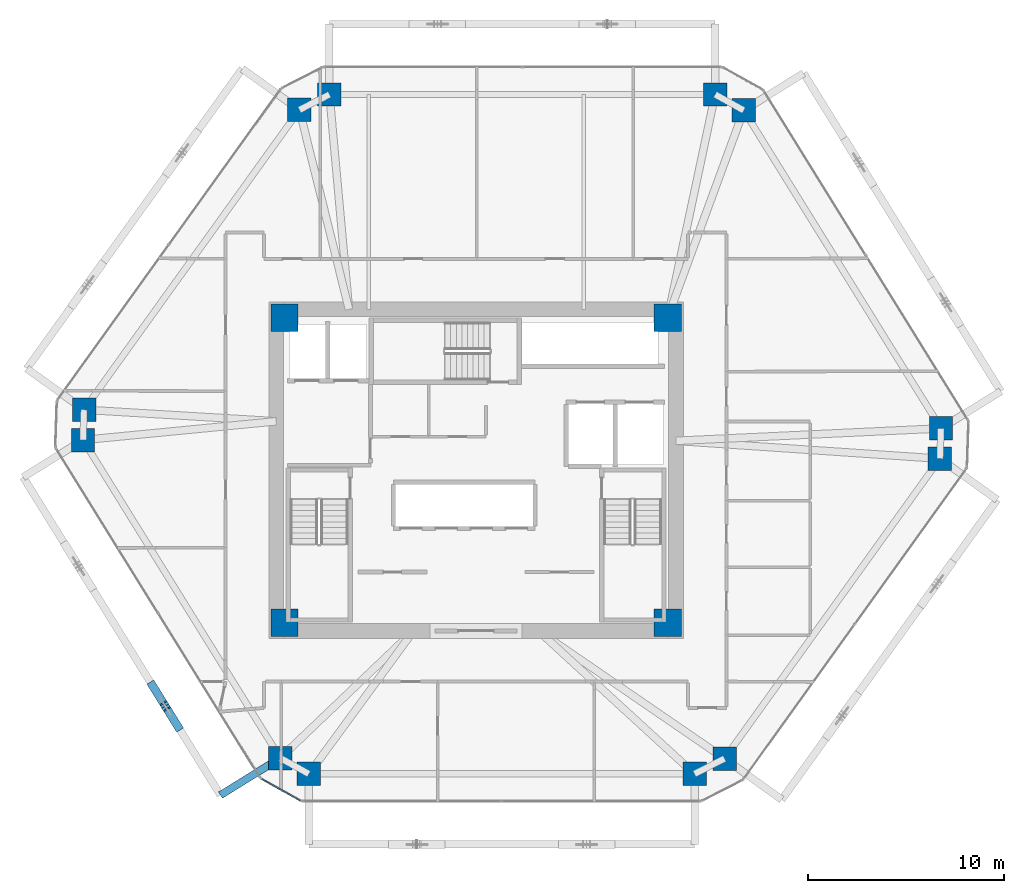
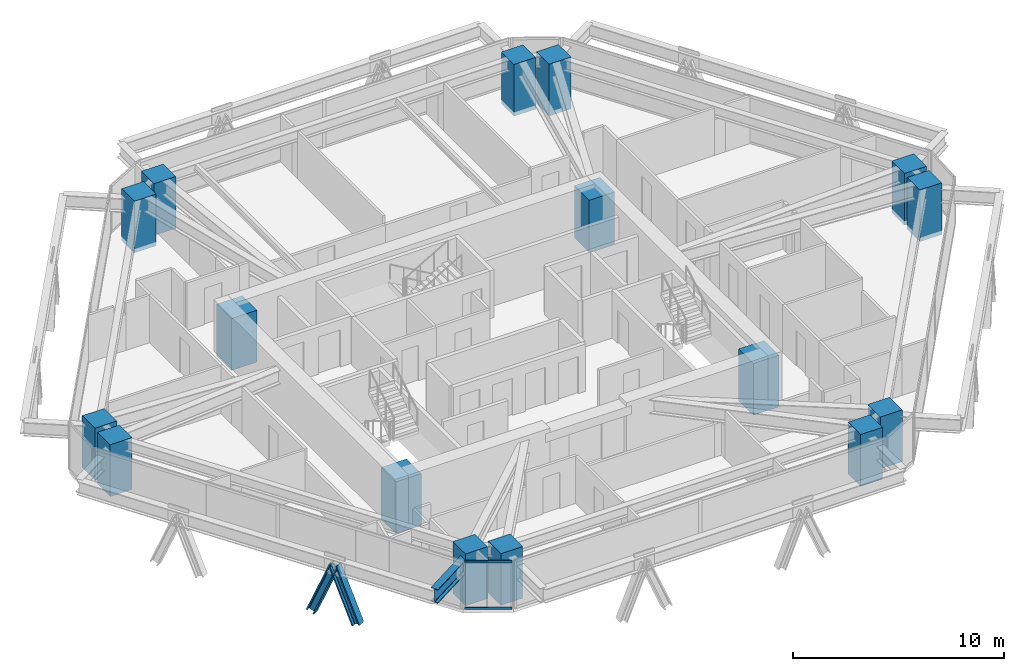
# One storey, part 1 of 17: 16 columns, 4 members, 1 beam, 1 element without a shape of its own.
"""IFC4 building model written with IfcOpenShell, lengths in metres."""

from ifc_helpers import new_model, si_unit, direction, frame, origin, origin_2d, place, context, subcontext, project, spatial, rectangle, i_section, extrude, source, transform, mapped, material, layer, layer_set, material_profile, profile_set, type_object, type_shapes, element, aggregate, save


model = new_model("IFC4")

# Units and contexts
model_context = context("Model", 3, precision=1e-05, world=origin(), true_north=direction((0.0, 1.0)))
body_context = subcontext(model_context, "Body", "Model", "MODEL_VIEW")
ifc_project = project(units=[si_unit("LENGTHUNIT", "METRE"), si_unit("AREAUNIT", "SQUARE_METRE"), si_unit("VOLUMEUNIT", "CUBIC_METRE"), si_unit("PLANEANGLEUNIT", "RADIAN"), si_unit("MASSUNIT", "GRAM", prefix="KILO")], contexts=[model_context])

# Site, building, storey
site_placement = place(None, origin())
site = spatial("IfcSite", under=ifc_project, at=site_placement, CompositionType="ELEMENT")
building_placement = place(site_placement, origin())
building = spatial("IfcBuilding", under=site, at=building_placement, Name="Durnholm Broadcast Tower", CompositionType="ELEMENT")
storey_placement = place(building_placement, frame((0.0, 0.0, 143.10009765625)))
storey = spatial("IfcBuildingStorey", under=building, at=storey_placement, Name="L39", CompositionType="ELEMENT", Elevation=143.10009765625)

# Columns
ifc_material_1 = material(Name="Concrete C70/85", Category="concrete")
ifc_material_profile_1 = material_profile(ifc_material_1, rectangle(XDim=1.39990234375, YDim=1.39990234375, at=origin_2d()), Name="RC1400X1400")
ifc_profile_set_1 = profile_set([ifc_material_profile_1], Name="Concrete C70/85")
column_type_1 = type_object("IfcColumnType", Name="COL-CC-1400", PredefinedType="COLUMN", material=ifc_profile_set_1)
shared_shape_1 = source(origin(), body_context, "Body", "SweptSolid", [
    extrude(rectangle(XDim=1.39990234375, YDim=1.39990234375, at=origin_2d()), origin(), (0.0, 0.0, 1.0), 3.0),
])
type_shapes(column_type_1, [shared_shape_1])
for number, where, z_axis, x_axis, name in (
    (1, (-9.800048828125, -7.800048828125, -0.239990234375), (0.0, 0.0, 1.0), (1.0, 0.0, 0.0), "L39 core corner column 1"),
    (2, (9.800048828125, -7.800048828125, -0.239990234375), (0.0, 0.0, 1.0), (1.0, 0.0, 0.0), "L39 core corner column 2"),
    (3, (9.800048828125, 7.800048828125, -0.239990234375), (0.0, 0.0, 1.0), (1.0, 0.0, 0.0), "L39 core corner column 3"),
    (4, (-9.800048828125, 7.800048828125, -0.239990234375), (0.0, 0.0, 1.0), (1.0, 0.0, 0.0), "L39 core corner column 4"),
):
    element("IfcColumn", number, at=place(storey_placement, frame(where, z_axis=z_axis, x_axis=x_axis)), inside=storey, type_object=column_type_1, Name=name, PredefinedType="COLUMN", context=body_context, shape_type="MappedRepresentation", body=[
        mapped(shared_shape_1, transform((0.0, 0.0, 0.0), x_axis=(1.0, 0.0, 0.0), y_axis=(0.0, 1.0, 0.0), z_axis=(0.0, 0.0, 1.0), scale=1.0)),
    ])
ifc_material_profile_2 = material_profile(ifc_material_1, rectangle(XDim=1.199951171875, YDim=1.199951171875, at=origin_2d()), Name="RC1200X1200")
ifc_profile_set_2 = profile_set([ifc_material_profile_2], Name="Concrete C70/85")
column_type_2 = type_object("IfcColumnType", Name="COL-CC-1200", PredefinedType="COLUMN", material=ifc_profile_set_2)
shared_shape_2 = source(origin(), body_context, "Body", "SweptSolid", [
    extrude(rectangle(XDim=1.199951171875, YDim=1.199951171875, at=origin_2d()), origin(), (0.0, 0.0, 1.0), 3.0),
])
type_shapes(column_type_2, [shared_shape_2])
for number, where, z_axis, x_axis, name in (
    (5, (-10.01416015625, -14.723388671875, -0.239990234375), (0.0, 0.0, 1.0), (1.0, 0.0, 0.0), "L39 perimeter hexagonal tube column 01"),
    (6, (-20.102783203125, 1.54150390625, -0.239990234375), (0.0, 0.0, 1.0), (1.0, 0.0, 0.0), "L39 perimeter hexagonal tube column 02"),
    (7, (-20.050048828125, 3.091064453125, -0.239990234375), (0.0, 0.0, 1.0), (1.0, 0.0, 0.0), "L39 perimeter hexagonal tube column 03"),
    (8, (-9.031982421875, 18.42822265625, -0.239990234375), (0.0, 0.0, 1.0), (1.0, 0.0, 0.0), "L39 perimeter hexagonal tube column 04"),
    (9, (-7.498046875, 19.215087890625, -0.239990234375), (0.0, 0.0, 1.0), (1.0, 0.0, 0.0), "L39 perimeter hexagonal tube column 05"),
    (10, (12.22998046875, 19.215087890625, -0.239990234375), (0.0, 0.0, 1.0), (1.0, 0.0, 0.0), "L39 perimeter hexagonal tube column 06"),
    (11, (13.692138671875, 18.4013671875, -0.239990234375), (0.0, 0.0, 1.0), (1.0, 0.0, 0.0), "L39 perimeter hexagonal tube column 07"),
    (12, (23.78076171875, 2.13671875, -0.239990234375), (0.0, 0.0, 1.0), (1.0, 0.0, 0.0), "L39 perimeter hexagonal tube column 08"),
    (13, (23.72802734375, 0.5869140625, -0.239990234375), (0.0, 0.0, 1.0), (1.0, 0.0, 0.0), "L39 perimeter hexagonal tube column 09"),
    (14, (12.7099609375, -14.750244140625, -0.239990234375), (0.0, 0.0, 1.0), (1.0, 0.0, 0.0), "L39 perimeter hexagonal tube column 10"),
    (15, (11.176025390625, -15.537109375, -0.239990234375), (0.0, 0.0, 1.0), (1.0, 0.0, 0.0), "L39 perimeter hexagonal tube column 11"),
    (16, (-8.552001953125, -15.537109375, -0.239990234375), (0.0, 0.0, 1.0), (1.0, 0.0, 0.0), "L39 perimeter hexagonal tube column 12"),
):
    element("IfcColumn", number, at=place(storey_placement, frame(where, z_axis=z_axis, x_axis=x_axis)), inside=storey, type_object=column_type_2, Name=name, PredefinedType="COLUMN", context=body_context, shape_type="MappedRepresentation", body=[
        mapped(shared_shape_2, transform((0.0, 0.0, 0.0), x_axis=(1.0, 0.0, 0.0), y_axis=(0.0, 1.0, 0.0), z_axis=(0.0, 0.0, 1.0), scale=1.0)),
    ])

# Beam
ifc_material_2 = material(Name="Steel ASTM A992 Grade 50", Category="steel")
ifc_material_profile_3 = material_profile(ifc_material_2, i_section(OverallWidth=0.385009765625, OverallDepth=0.802978515625, WebThickness=0.023681640625, FlangeThickness=0.0419921875, FilletRadius=0.032958984375, at=origin_2d()), Name="W30X261")
ifc_profile_set_3 = profile_set([ifc_material_profile_3], Name="Steel ASTM A992 Grade 50")
beam_type = type_object("IfcBeamType", Name="BM-EXO-TIE", PredefinedType="USERDEFINED", material=ifc_profile_set_3)
shared_shape_3 = source(origin(), body_context, "Body", "SweptSolid", [
    extrude(i_section(OverallWidth=0.385009765625, OverallDepth=0.802978515625, WebThickness=0.023681640625, FlangeThickness=0.0419921875, FilletRadius=0.032958984375, at=origin_2d()), origin(), (0.0, 0.0, 1.0), 3.455810546875),
])
type_shapes(beam_type, [shared_shape_3])
beam_placement = place(storey_placement, frame((-10.13671875, -14.79931640625, 2.008544921875), z_axis=(-0.849807128357, -0.527093772107, 0.0), x_axis=(0.527093772107, -0.849807128357, 0.0)))
element("IfcBeam", 17, at=beam_placement, inside=storey, type_object=beam_type, Name="L39 exoskeleton stand-off tie bracket F6.2", ObjectType="GIRDER", PredefinedType="USERDEFINED", context=body_context, shape_type="MappedRepresentation", body=[
    mapped(shared_shape_3, transform((0.0, 0.0, 0.0), x_axis=(1.0, 0.0, 0.0), y_axis=(0.0, 1.0, 0.0), z_axis=(0.0, 0.0, 1.0), scale=1.0)),
])

# Members
ifc_material_3 = material(Name="Steel ASTM A913 Grade 65", Category="steel")
ifc_material_profile_4 = material_profile(ifc_material_3, i_section(OverallWidth=0.41845703125, OverallDepth=0.455078125, WebThickness=0.0419921875, FlangeThickness=0.067626953125, FilletRadius=0.030517578125, at=origin_2d()), Name="W14X370")
ifc_profile_set_4 = profile_set([ifc_material_profile_4], Name="Steel ASTM A913 Grade 65")
member_type_1 = type_object("IfcMemberType", Name="STL-DG-W14X370", PredefinedType="BRACE", material=ifc_profile_set_4)
shared_shape_4 = source(origin(), body_context, "Body", "SweptSolid", [
    extrude(i_section(OverallWidth=0.41845703125, OverallDepth=0.455078125, WebThickness=0.0419921875, FlangeThickness=0.067626953125, FilletRadius=0.030517578125, at=origin_2d()), origin(), (0.0, 0.0, 1.0), 3.243896484375),
])
member_1_placement = place(storey_placement, frame((-15.247802734375, -13.115234375, -0.991455078125), z_axis=(-0.200499851569, 0.323253326761, 0.924828144175), x_axis=(-0.849805205368, -0.527096872433, 0.0)))
element("IfcMember", 18, at=member_1_placement, inside=storey, type_object=member_type_1, Name="L39 stand-off diagrid brace F6.D2.2", PredefinedType="BRACE", context=body_context, shape_type="MappedRepresentation", body=[
    mapped(shared_shape_4, transform((0.0, 0.0, 0.0), x_axis=(1.0, 0.0, 0.0), y_axis=(0.0, 1.0, 0.0), z_axis=(0.0, 0.0, 1.0), scale=1.0)),
])
shared_shape_5 = source(origin(), body_context, "Body", "SweptSolid", [
    extrude(i_section(OverallWidth=0.41845703125, OverallDepth=0.455078125, WebThickness=0.0419921875, FlangeThickness=0.067626953125, FilletRadius=0.030517578125, at=origin_2d()), origin(), (0.0, 0.0, 1.0), 3.24365234375),
])
type_shapes(member_type_1, [shared_shape_4, shared_shape_5])
member_2_placement = place(storey_placement, frame((-16.548583984375, -11.018310546875, -0.991455078125), z_axis=(0.200504729124, -0.323185925998, 0.924850642447), x_axis=(0.849750220063, 0.527185511469, 0.0)))
element("IfcMember", 19, at=member_2_placement, inside=storey, type_object=member_type_1, Name="L39 stand-off diagrid brace F6.D2.1", PredefinedType="BRACE", context=body_context, shape_type="MappedRepresentation", body=[
    mapped(shared_shape_5, transform((0.0, 0.0, 0.0), x_axis=(1.0, 0.0, 0.0), y_axis=(0.0, 1.0, 0.0), z_axis=(0.0, 0.0, 1.0), scale=1.0)),
])

# Curtain wall, members
ifc_material_4 = material(Name="Aluminium and Solar Control IGU", Category="aluminium")
ifc_layer = layer(ifc_material_4, 0.1650390625)
ifc_layer_set = layer_set([ifc_layer], Name="Aluminium and Solar Control IGU")
curtain_wall_type = type_object("IfcCurtainWallType", Name="CW-SYS-5", PredefinedType="NOTDEFINED", material=ifc_layer_set)
curtain_wall_placement = place(storey_placement, origin())
curtain_wall = element("IfcCurtainWall", 20, at=curtain_wall_placement, inside=storey, type_object=curtain_wall_type, Name="L39 curtain wall CW-CORNER CW-L39-CRN-11", PredefinedType="NOTDEFINED")
ifc_material_5 = material(Name="Aluminium 6063-T6", Category="aluminium")
ifc_material_profile_5 = material_profile(ifc_material_5, rectangle(XDim=0.06494140625, YDim=0.1298828125, at=origin_2d()), Name="CWT65X130")
ifc_profile_set_5 = profile_set([ifc_material_profile_5], Name="Aluminium 6063-T6")
member_type_2 = type_object("IfcMemberType", Name="CW-SYS-5-TRN", PredefinedType="USERDEFINED", material=ifc_profile_set_5)
shared_shape_6 = source(origin(), body_context, "Body", "SweptSolid", [
    extrude(rectangle(XDim=0.06494140625, YDim=0.1298828125, at=origin_2d()), origin(), (0.0, 0.0, 1.0), 2.27001953125),
])
type_shapes(member_type_2, [shared_shape_6])
member_3_placement = place(storey_placement, frame((-8.971923828125, -16.9052734375, 0.032470703125), z_axis=(-0.873832405737, 0.486227237703, 0.0), x_axis=(-0.486227237703, -0.873832405737, 0.0)))
member_3 = element("IfcMember", 21, at=member_3_placement, type_object=member_type_2, Name="CW-CORNER transom 1.1", ObjectType="TRANSOM", PredefinedType="USERDEFINED", context=body_context, shape_type="MappedRepresentation", body=[
    mapped(shared_shape_6, transform((0.0, 0.0, 0.0), x_axis=(1.0, 0.0, 0.0), y_axis=(0.0, 1.0, 0.0), z_axis=(0.0, 0.0, 1.0), scale=1.0)),
])
member_4_placement = place(storey_placement, frame((-8.971923828125, -16.9052734375, 2.727294921875), z_axis=(-0.873832405737, 0.486227237703, 0.0), x_axis=(-0.486227237703, -0.873832405737, 0.0)))
member_4 = element("IfcMember", 22, at=member_4_placement, type_object=member_type_2, Name="CW-CORNER transom 1.2", ObjectType="TRANSOM", PredefinedType="USERDEFINED", context=body_context, shape_type="MappedRepresentation", body=[
    mapped(shared_shape_6, transform((0.0, 0.0, 0.0), x_axis=(1.0, 0.0, 0.0), y_axis=(0.0, 1.0, 0.0), z_axis=(0.0, 0.0, 1.0), scale=1.0)),
])
aggregate(curtain_wall, [member_3, member_4])

save(model, "model.ifc")
